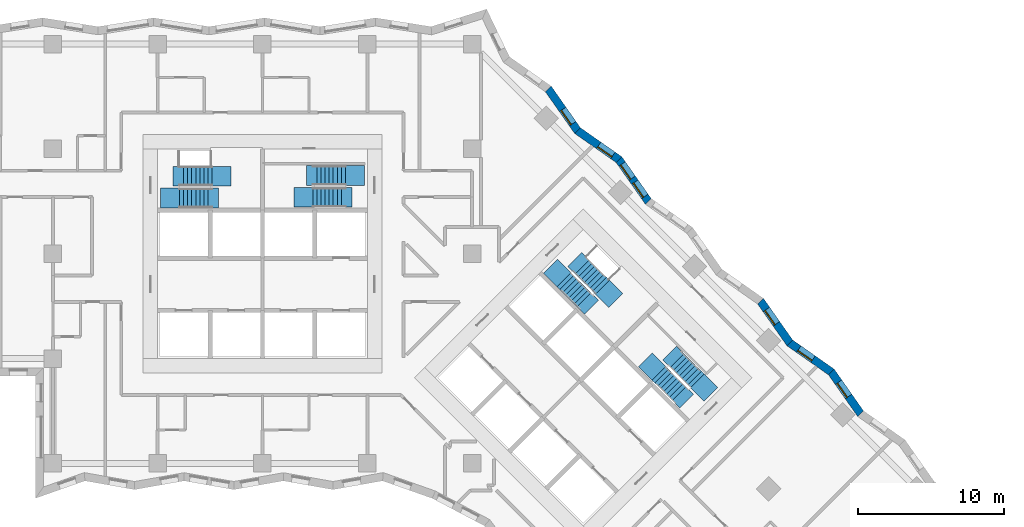
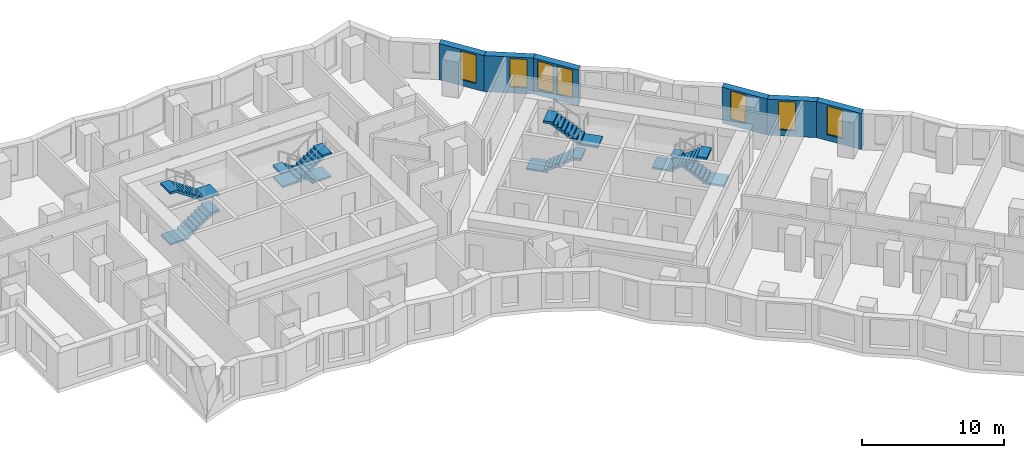
# One storey, part 10 of 12: 8 stair flights, 7 windows, 6 walls, 7 openings, 4 elements without a shape of their own.
"""IFC4 building model written with IfcOpenShell, lengths in metres."""

from ifc_helpers import new_model, si_unit, direction, frame, frame_2d, origin, place, context, subcontext, project, spatial, polyline, rectangle, outline, extrude, material, layer, layer_set, type_object, element, fill, aggregate, save


model = new_model("IFC4")

# Units and contexts
model_context = context("Model", 3, precision=1e-05, world=origin(), true_north=direction((0.0, 1.0)))
body_context = subcontext(model_context, "Body", "Model", "MODEL_VIEW")
ifc_project = project(units=[si_unit("LENGTHUNIT", "METRE"), si_unit("AREAUNIT", "SQUARE_METRE"), si_unit("VOLUMEUNIT", "CUBIC_METRE"), si_unit("PLANEANGLEUNIT", "RADIAN"), si_unit("MASSUNIT", "GRAM", prefix="KILO")], contexts=[model_context])

# Site, building, storey
site_placement = place(None, origin())
site = spatial("IfcSite", under=ifc_project, at=site_placement, CompositionType="ELEMENT")
building_placement = place(site_placement, origin())
building = spatial("IfcBuilding", under=site, at=building_placement, Name="Windrow Commons", CompositionType="ELEMENT")
storey_placement = place(building_placement, frame((0.0, 0.0, 61.0)))
storey = spatial("IfcBuildingStorey", under=building, at=storey_placement, Name="L16", CompositionType="ELEMENT", Elevation=61.0)

# Wall, opening, window
ifc_material_1 = material(Name="Brick masonry, red clay brick", Category="masonry")
ifc_layer = layer(ifc_material_1, 0.55)
ifc_layer_set = layer_set([ifc_layer], Name="Brick facade wall 550")
wall_type = type_object("IfcWallType", Name="Brick facade wall 550", PredefinedType="SOLIDWALL", material=ifc_layer_set)
wall_1_placement = place(storey_placement, frame((105.8825, 46.6197, 0.0), z_axis=(0.0, 0.0, 1.0), x_axis=(-0.5742832552, 0.8186566697, 0.0)))
wall_1 = element("IfcWall", 1, at=wall_1_placement, inside=storey, type_object=wall_type, Name="Brick facade wall L16 12", PredefinedType="SOLIDWALL", context=body_context, shape_type="SweptSolid", body=[
    extrude(outline(polyline([(0.0482, -0.275), (3.5379, -0.275), (3.4415, 0.275), (-0.0482, 0.275), (0.0482, -0.275)])), origin(), (0.0, 0.0, 1.0), 3.1),
])
opening_1_placement = place(wall_1_placement, frame((1.4339, 0.0, 0.5)))
opening_1 = element("IfcOpeningElement", 2, at=opening_1_placement, cuts=wall_1, Name="Opening W7D", PredefinedType="OPENING", context=body_context, shape_type="SweptSolid", body=[
    extrude(rectangle(XDim=1.2, YDim=2.45, at=frame_2d((0.6, 1.225))), frame((0.0, 0.285, 0.0), z_axis=(0.0, -1.0, 0.0), x_axis=(1.0, 0.0, 0.0)), (0.0, 0.0, 1.0), 0.57),
])
ifc_material_2 = material(Name="Clear float glass in anodised aluminium frame", Category="aluminium")
window_type = type_object("IfcWindowType", Name="Window W7 notch 1200x2450", PartitioningType="SINGLE_PANEL", PredefinedType="WINDOW", material=ifc_material_2)
window_1_placement = place(opening_1_placement, origin())
window_1 = element("IfcWindow", 3, at=window_1_placement, inside=storey, type_object=window_type, Name="Window L16 12.1", OverallHeight=2.45, OverallWidth=1.2, PartitioningType="SINGLE_PANEL", PredefinedType="WINDOW", context=body_context, shape_type="SweptSolid", body=[
    extrude(rectangle(XDim=1.2, YDim=2.45, at=frame_2d((0.6, 1.225))), frame((0.0, 0.155, 0.0), z_axis=(0.0, -1.0, 0.0), x_axis=(1.0, 0.0, 0.0)), (0.0, 0.0, 1.0), 0.06),
])
fill(opening_1, window_1)

wall_2_placement = place(storey_placement, frame((103.8784, 49.4766, 0.0), z_axis=(0.0, 0.0, 1.0), x_axis=(-0.8186472188, 0.5742967275, 0.0)))
wall_2 = element("IfcWall", 4, at=wall_2_placement, inside=storey, type_object=wall_type, Name="Brick facade wall L16 13", PredefinedType="SOLIDWALL", context=body_context, shape_type="SweptSolid", body=[
    extrude(outline(polyline([(-0.0482, -0.275), (3.4415, -0.275), (3.5379, 0.275), (0.0482, 0.275), (-0.0482, -0.275)])), origin(), (0.0, 0.0, 1.0), 3.1),
])
opening_2_placement = place(wall_2_placement, frame((1.5407, 0.0, 0.5)))
opening_2 = element("IfcOpeningElement", 5, at=opening_2_placement, cuts=wall_2, Name="Opening W7D", PredefinedType="OPENING", context=body_context, shape_type="SweptSolid", body=[
    extrude(rectangle(XDim=1.2, YDim=2.45, at=frame_2d((0.6, 1.225))), frame((0.0, 0.285, 0.0), z_axis=(0.0, -1.0, 0.0), x_axis=(1.0, 0.0, 0.0)), (0.0, 0.0, 1.0), 0.57),
])
window_2_placement = place(opening_2_placement, origin())
window_2 = element("IfcWindow", 6, at=window_2_placement, inside=storey, type_object=window_type, Name="Window L16 13.1", OverallHeight=2.45, OverallWidth=1.2, PartitioningType="SINGLE_PANEL", PredefinedType="WINDOW", context=body_context, shape_type="SweptSolid", body=[
    extrude(rectangle(XDim=1.2, YDim=2.45, at=frame_2d((0.6, 1.225))), frame((0.0, 0.155, 0.0), z_axis=(0.0, -1.0, 0.0), x_axis=(1.0, 0.0, 0.0)), (0.0, 0.0, 1.0), 0.06),
])
fill(opening_2, window_2)

wall_3_placement = place(storey_placement, frame((101.0216, 51.4807, 0.0), z_axis=(0.0, 0.0, 1.0), x_axis=(-0.5742967275, 0.8186472188, 0.0)))
wall_3 = element("IfcWall", 7, at=wall_3_placement, inside=storey, type_object=wall_type, Name="Brick facade wall L16 14", PredefinedType="SOLIDWALL", context=body_context, shape_type="SweptSolid", body=[
    extrude(outline(polyline([(0.0482, -0.275), (3.5379, -0.275), (3.4415, 0.275), (-0.0482, 0.275), (0.0482, -0.275)])), origin(), (0.0, 0.0, 1.0), 3.1),
])
opening_3_placement = place(wall_3_placement, frame((1.5992, 0.0, 0.5)))
opening_3 = element("IfcOpeningElement", 8, at=opening_3_placement, cuts=wall_3, Name="Opening W7D", PredefinedType="OPENING", context=body_context, shape_type="SweptSolid", body=[
    extrude(rectangle(XDim=1.2, YDim=2.45, at=frame_2d((0.6, 1.225))), frame((0.0, 0.285, 0.0), z_axis=(0.0, -1.0, 0.0), x_axis=(1.0, 0.0, 0.0)), (0.0, 0.0, 1.0), 0.57),
])
window_3_placement = place(opening_3_placement, origin())
window_3 = element("IfcWindow", 9, at=window_3_placement, inside=storey, type_object=window_type, Name="Window L16 14.1", OverallHeight=2.45, OverallWidth=1.2, PartitioningType="SINGLE_PANEL", PredefinedType="WINDOW", context=body_context, shape_type="SweptSolid", body=[
    extrude(rectangle(XDim=1.2, YDim=2.45, at=frame_2d((0.6, 1.225))), frame((0.0, 0.155, 0.0), z_axis=(0.0, -1.0, 0.0), x_axis=(1.0, 0.0, 0.0)), (0.0, 0.0, 1.0), 0.06),
])
fill(opening_3, window_3)

# Wall, openings, windows
wall_4_placement = place(storey_placement, frame((91.2997, 61.2026, 0.0), z_axis=(0.0, 0.0, 1.0), x_axis=(-0.5742967275, 0.8186472188, 0.0)))
wall_4 = element("IfcWall", 10, at=wall_4_placement, inside=storey, type_object=wall_type, Name="Brick facade wall L16 18", PredefinedType="SOLIDWALL", context=body_context, shape_type="SweptSolid", body=[
    extrude(outline(polyline([(0.0482, -0.275), (3.5379, -0.275), (3.4415, 0.275), (-0.0482, 0.275), (0.0482, -0.275)])), origin(), (0.0, 0.0, 1.0), 3.1),
])
opening_4_placement = place(wall_4_placement, frame((0.409, 0.0, 0.5)))
opening_4 = element("IfcOpeningElement", 11, at=opening_4_placement, cuts=wall_4, Name="Opening W7D", PredefinedType="OPENING", context=body_context, shape_type="SweptSolid", body=[
    extrude(rectangle(XDim=1.2, YDim=2.45, at=frame_2d((0.6, 1.225))), frame((0.0, 0.285, 0.0), z_axis=(0.0, -1.0, 0.0), x_axis=(1.0, 0.0, 0.0)), (0.0, 0.0, 1.0), 0.57),
])
opening_5_placement = place(wall_4_placement, frame((1.9298, 0.0, 0.5)))
opening_5 = element("IfcOpeningElement", 12, at=opening_5_placement, cuts=wall_4, Name="Opening W7D", PredefinedType="OPENING", context=body_context, shape_type="SweptSolid", body=[
    extrude(rectangle(XDim=1.2, YDim=2.45, at=frame_2d((0.6, 1.225))), frame((0.0, 0.285, 0.0), z_axis=(0.0, -1.0, 0.0), x_axis=(1.0, 0.0, 0.0)), (0.0, 0.0, 1.0), 0.57),
])
window_4_placement = place(opening_4_placement, origin())
window_4 = element("IfcWindow", 13, at=window_4_placement, inside=storey, type_object=window_type, Name="Window L16 18.1", OverallHeight=2.45, OverallWidth=1.2, PartitioningType="SINGLE_PANEL", PredefinedType="WINDOW", context=body_context, shape_type="SweptSolid", body=[
    extrude(rectangle(XDim=1.2, YDim=2.45, at=frame_2d((0.6, 1.225))), frame((0.0, 0.155, 0.0), z_axis=(0.0, -1.0, 0.0), x_axis=(1.0, 0.0, 0.0)), (0.0, 0.0, 1.0), 0.06),
])
fill(opening_4, window_4)
window_5_placement = place(opening_5_placement, origin())
window_5 = element("IfcWindow", 14, at=window_5_placement, inside=storey, type_object=window_type, Name="Window L16 18.2", OverallHeight=2.45, OverallWidth=1.2, PartitioningType="SINGLE_PANEL", PredefinedType="WINDOW", context=body_context, shape_type="SweptSolid", body=[
    extrude(rectangle(XDim=1.2, YDim=2.45, at=frame_2d((0.6, 1.225))), frame((0.0, 0.155, 0.0), z_axis=(0.0, -1.0, 0.0), x_axis=(1.0, 0.0, 0.0)), (0.0, 0.0, 1.0), 0.06),
])
fill(opening_5, window_5)

# Wall, opening, window
wall_5_placement = place(storey_placement, frame((89.2956, 64.0594, 0.0), z_axis=(0.0, 0.0, 1.0), x_axis=(-0.8186566697, 0.5742832552, 0.0)))
wall_5 = element("IfcWall", 15, at=wall_5_placement, inside=storey, type_object=wall_type, Name="Brick facade wall L16 19", PredefinedType="SOLIDWALL", context=body_context, shape_type="SweptSolid", body=[
    extrude(outline(polyline([(-0.0482, -0.275), (3.4415, -0.275), (3.5379, 0.275), (0.0482, 0.275), (-0.0482, -0.275)])), origin(), (0.0, 0.0, 1.0), 3.1),
])
opening_6_placement = place(wall_5_placement, frame((0.5158, 0.0, 0.5)))
opening_6 = element("IfcOpeningElement", 16, at=opening_6_placement, cuts=wall_5, Name="Opening W7D", PredefinedType="OPENING", context=body_context, shape_type="SweptSolid", body=[
    extrude(rectangle(XDim=1.2, YDim=2.45, at=frame_2d((0.6, 1.225))), frame((0.0, 0.285, 0.0), z_axis=(0.0, -1.0, 0.0), x_axis=(1.0, 0.0, 0.0)), (0.0, 0.0, 1.0), 0.57),
])
window_6_placement = place(opening_6_placement, origin())
window_6 = element("IfcWindow", 17, at=window_6_placement, inside=storey, type_object=window_type, Name="Window L16 19.1", OverallHeight=2.45, OverallWidth=1.2, PartitioningType="SINGLE_PANEL", PredefinedType="WINDOW", context=body_context, shape_type="SweptSolid", body=[
    extrude(rectangle(XDim=1.2, YDim=2.45, at=frame_2d((0.6, 1.225))), frame((0.0, 0.155, 0.0), z_axis=(0.0, -1.0, 0.0), x_axis=(1.0, 0.0, 0.0)), (0.0, 0.0, 1.0), 0.06),
])
fill(opening_6, window_6)

wall_6_placement = place(storey_placement, frame((86.4387, 66.0635, 0.0), z_axis=(0.0, 0.0, 1.0), x_axis=(-0.5742640499, 0.8186701418, 0.0)))
wall_6 = element("IfcWall", 18, at=wall_6_placement, inside=storey, type_object=wall_type, Name="Brick facade wall L16 20", PredefinedType="SOLIDWALL", context=body_context, shape_type="SweptSolid", body=[
    extrude(outline(polyline([(0.0482, -0.275), (3.5379, -0.275), (3.4415, 0.275), (-0.0482, 0.275), (0.0482, -0.275)])), origin(), (0.0, 0.0, 1.0), 3.1),
])
opening_7_placement = place(wall_6_placement, frame((0.5743, 0.0, 0.5)))
opening_7 = element("IfcOpeningElement", 19, at=opening_7_placement, cuts=wall_6, Name="Opening W7D", PredefinedType="OPENING", context=body_context, shape_type="SweptSolid", body=[
    extrude(rectangle(XDim=1.2, YDim=2.45, at=frame_2d((0.6, 1.225))), frame((0.0, 0.285, 0.0), z_axis=(0.0, -1.0, 0.0), x_axis=(1.0, 0.0, 0.0)), (0.0, 0.0, 1.0), 0.57),
])
window_7_placement = place(opening_7_placement, origin())
window_7 = element("IfcWindow", 20, at=window_7_placement, inside=storey, type_object=window_type, Name="Window L16 20.1", OverallHeight=2.45, OverallWidth=1.2, PartitioningType="SINGLE_PANEL", PredefinedType="WINDOW", context=body_context, shape_type="SweptSolid", body=[
    extrude(rectangle(XDim=1.2, YDim=2.45, at=frame_2d((0.6, 1.225))), frame((0.0, 0.155, 0.0), z_axis=(0.0, -1.0, 0.0), x_axis=(1.0, 0.0, 0.0)), (0.0, 0.0, 1.0), 0.06),
])
fill(opening_7, window_7)

# Stair, stair flights
ifc_material_3 = material(Name="Concrete C40/50", Category="concrete")
stair_type = type_object("IfcStairType", Name="Core stair", PredefinedType="HALF_TURN_STAIR", material=ifc_material_3)
placement = place(storey_placement, origin())
stair_1 = element("IfcStair", 21, at=placement, inside=storey, type_object=stair_type, Name="L16 Exit stair A1 core A", PredefinedType="HALF_TURN_STAIR")
ifc_material_4 = material(Name="Concrete C40/50", Category="concrete")
stair_flight_type = type_object("IfcStairFlightType", Name="Core stair flight", PredefinedType="STRAIGHT", material=ifc_material_4)
stair_flight_1_placement = place(storey_placement, frame((59.1, 61.425, 0.0), z_axis=(0.0, 0.0, 1.0), x_axis=(1.0, 0.0, 0.0)))
stair_flight_1 = element("IfcStairFlight", 22, at=stair_flight_1_placement, type_object=stair_flight_type, Name="ST-A1 flight 1", NumberOfRisers=9, NumberOfTreads=8, PredefinedType="STRAIGHT", RiserHeight=0.188888889, TreadLength=0.28, context=body_context, shape_type="SweptSolid", body=[
    extrude(outline(polyline([(-1.3, -0.15), (-1.3, 0.0), (0.0, 0.0), (0.0, 0.1889), (0.28, 0.1889), (0.28, 0.3778), (0.56, 0.3778), (0.56, 0.5667), (0.84, 0.5667), (0.84, 0.7556), (1.12, 0.7556), (1.12, 0.9444), (1.4, 0.9444), (1.4, 1.1333), (1.68, 1.1333), (1.68, 1.3222), (1.96, 1.3222), (1.96, 1.5111), (2.24, 1.5111), (2.69, 1.5111), (2.69, 1.3111), (2.24, 1.3111), (2.24, 1.3302), (0.2682, 0.0), (0.2682, -0.15), (-1.3, -0.15)])), frame((0.0, 0.675, 0.0), z_axis=(0.0, -1.0, 0.0), x_axis=(1.0, 0.0, 0.0)), (0.0, 0.0, 1.0), 1.35),
])
stair_flight_2_placement = place(storey_placement, frame((61.34, 62.925, 1.7), z_axis=(0.0, 0.0, 1.0), x_axis=(-1.0, 0.0, 0.0)))
stair_flight_2 = element("IfcStairFlight", 23, at=stair_flight_2_placement, type_object=stair_flight_type, Name="ST-A1 flight 2", NumberOfRisers=9, NumberOfTreads=8, PredefinedType="STRAIGHT", RiserHeight=0.188888889, TreadLength=0.28, context=body_context, shape_type="SweptSolid", body=[
    extrude(outline(polyline([(-1.3, -0.15), (-1.3, 0.0), (0.0, 0.0), (0.0, 0.1889), (0.28, 0.1889), (0.28, 0.3778), (0.56, 0.3778), (0.56, 0.5667), (0.84, 0.5667), (0.84, 0.7556), (1.12, 0.7556), (1.12, 0.9444), (1.4, 0.9444), (1.4, 1.1333), (1.68, 1.1333), (1.68, 1.3222), (1.96, 1.3222), (1.96, 1.5111), (2.24, 1.5111), (2.69, 1.5111), (2.69, 1.3111), (2.24, 1.3111), (2.24, 1.3302), (0.2682, 0.0), (0.2682, -0.15), (-1.3, -0.15)])), frame((0.0, 0.675, 0.0), z_axis=(0.0, -1.0, 0.0), x_axis=(1.0, 0.0, 0.0)), (0.0, 0.0, 1.0), 1.35),
])
aggregate(stair_1, [stair_flight_1, stair_flight_2])

stair_2 = element("IfcStair", 24, at=placement, inside=storey, type_object=stair_type, Name="L16 Exit stair A2 core A", PredefinedType="HALF_TURN_STAIR")
stair_flight_3_placement = place(storey_placement, frame((70.5, 62.98, 0.0), z_axis=(0.0, 0.0, 1.0), x_axis=(-1.0, 0.0, 0.0)))
stair_flight_3 = element("IfcStairFlight", 25, at=stair_flight_3_placement, type_object=stair_flight_type, Name="ST-A2 flight 1", NumberOfRisers=9, NumberOfTreads=8, PredefinedType="STRAIGHT", RiserHeight=0.188888889, TreadLength=0.28, context=body_context, shape_type="SweptSolid", body=[
    extrude(outline(polyline([(-1.3, -0.15), (-1.3, 0.0), (0.0, 0.0), (0.0, 0.1889), (0.28, 0.1889), (0.28, 0.3778), (0.56, 0.3778), (0.56, 0.5667), (0.84, 0.5667), (0.84, 0.7556), (1.12, 0.7556), (1.12, 0.9444), (1.4, 0.9444), (1.4, 1.1333), (1.68, 1.1333), (1.68, 1.3222), (1.96, 1.3222), (1.96, 1.5111), (2.24, 1.5111), (2.69, 1.5111), (2.69, 1.3111), (2.24, 1.3111), (2.24, 1.3302), (0.2682, 0.0), (0.2682, -0.15), (-1.3, -0.15)])), frame((0.0, 0.675, 0.0), z_axis=(0.0, -1.0, 0.0), x_axis=(1.0, 0.0, 0.0)), (0.0, 0.0, 1.0), 1.35),
])
stair_flight_4_placement = place(storey_placement, frame((68.26, 61.48, 1.7), z_axis=(0.0, 0.0, 1.0), x_axis=(1.0, 0.0, 0.0)))
stair_flight_4 = element("IfcStairFlight", 26, at=stair_flight_4_placement, type_object=stair_flight_type, Name="ST-A2 flight 2", NumberOfRisers=9, NumberOfTreads=8, PredefinedType="STRAIGHT", RiserHeight=0.188888889, TreadLength=0.28, context=body_context, shape_type="SweptSolid", body=[
    extrude(outline(polyline([(-1.3, -0.15), (-1.3, 0.0), (0.0, 0.0), (0.0, 0.1889), (0.28, 0.1889), (0.28, 0.3778), (0.56, 0.3778), (0.56, 0.5667), (0.84, 0.5667), (0.84, 0.7556), (1.12, 0.7556), (1.12, 0.9444), (1.4, 0.9444), (1.4, 1.1333), (1.68, 1.1333), (1.68, 1.3222), (1.96, 1.3222), (1.96, 1.5111), (2.24, 1.5111), (2.69, 1.5111), (2.69, 1.3111), (2.24, 1.3111), (2.24, 1.3302), (0.2682, 0.0), (0.2682, -0.15), (-1.3, -0.15)])), frame((0.0, 0.675, 0.0), z_axis=(0.0, -1.0, 0.0), x_axis=(1.0, 0.0, 0.0)), (0.0, 0.0, 1.0), 1.35),
])
aggregate(stair_2, [stair_flight_3, stair_flight_4])

stair_3 = element("IfcStair", 27, at=placement, inside=storey, type_object=stair_type, Name="L16 Exit stair B1 core B", PredefinedType="HALF_TURN_STAIR")
stair_flight_5_placement = place(storey_placement, frame((85.5109, 55.8249, 0.0), z_axis=(0.0, 0.0, 1.0), x_axis=(0.7071067812, -0.7071067812, 0.0)))
stair_flight_5 = element("IfcStairFlight", 28, at=stair_flight_5_placement, type_object=stair_flight_type, Name="ST-B1 flight 1", NumberOfRisers=9, NumberOfTreads=8, PredefinedType="STRAIGHT", RiserHeight=0.188888889, TreadLength=0.28, context=body_context, shape_type="SweptSolid", body=[
    extrude(outline(polyline([(-1.3, -0.15), (-1.3, 0.0), (0.0, 0.0), (0.0, 0.1889), (0.28, 0.1889), (0.28, 0.3778), (0.56, 0.3778), (0.56, 0.5667), (0.84, 0.5667), (0.84, 0.7556), (1.12, 0.7556), (1.12, 0.9444), (1.4, 0.9444), (1.4, 1.1333), (1.68, 1.1333), (1.68, 1.3222), (1.96, 1.3222), (1.96, 1.5111), (2.24, 1.5111), (2.69, 1.5111), (2.69, 1.3111), (2.24, 1.3111), (2.24, 1.3302), (0.2682, 0.0), (0.2682, -0.15), (-1.3, -0.15)])), frame((0.0, 0.675, 0.0), z_axis=(0.0, -1.0, 0.0), x_axis=(1.0, 0.0, 0.0)), (0.0, 0.0, 1.0), 1.35),
])
stair_flight_6_placement = place(storey_placement, frame((88.1555, 55.3017, 1.7), z_axis=(0.0, 0.0, 1.0), x_axis=(-0.7071067812, 0.7071067812, 0.0)))
stair_flight_6 = element("IfcStairFlight", 29, at=stair_flight_6_placement, type_object=stair_flight_type, Name="ST-B1 flight 2", NumberOfRisers=9, NumberOfTreads=8, PredefinedType="STRAIGHT", RiserHeight=0.188888889, TreadLength=0.28, context=body_context, shape_type="SweptSolid", body=[
    extrude(outline(polyline([(-1.3, -0.15), (-1.3, 0.0), (0.0, 0.0), (0.0, 0.1889), (0.28, 0.1889), (0.28, 0.3778), (0.56, 0.3778), (0.56, 0.5667), (0.84, 0.5667), (0.84, 0.7556), (1.12, 0.7556), (1.12, 0.9444), (1.4, 0.9444), (1.4, 1.1333), (1.68, 1.1333), (1.68, 1.3222), (1.96, 1.3222), (1.96, 1.5111), (2.24, 1.5111), (2.69, 1.5111), (2.69, 1.3111), (2.24, 1.3111), (2.24, 1.3302), (0.2682, 0.0), (0.2682, -0.15), (-1.3, -0.15)])), frame((0.0, 0.675, 0.0), z_axis=(0.0, -1.0, 0.0), x_axis=(1.0, 0.0, 0.0)), (0.0, 0.0, 1.0), 1.35),
])
aggregate(stair_3, [stair_flight_5, stair_flight_6])

stair_4 = element("IfcStair", 30, at=placement, inside=storey, type_object=stair_type, Name="L16 Exit stair B2 core B", PredefinedType="HALF_TURN_STAIR")
stair_flight_7_placement = place(storey_placement, frame((94.6715, 48.8635, 0.0), z_axis=(0.0, 0.0, 1.0), x_axis=(-0.7071067812, 0.7071067812, 0.0)))
stair_flight_7 = element("IfcStairFlight", 31, at=stair_flight_7_placement, type_object=stair_flight_type, Name="ST-B2 flight 1", NumberOfRisers=9, NumberOfTreads=8, PredefinedType="STRAIGHT", RiserHeight=0.188888889, TreadLength=0.28, context=body_context, shape_type="SweptSolid", body=[
    extrude(outline(polyline([(-1.3, -0.15), (-1.3, 0.0), (0.0, 0.0), (0.0, 0.1889), (0.28, 0.1889), (0.28, 0.3778), (0.56, 0.3778), (0.56, 0.5667), (0.84, 0.5667), (0.84, 0.7556), (1.12, 0.7556), (1.12, 0.9444), (1.4, 0.9444), (1.4, 1.1333), (1.68, 1.1333), (1.68, 1.3222), (1.96, 1.3222), (1.96, 1.5111), (2.24, 1.5111), (2.69, 1.5111), (2.69, 1.3111), (2.24, 1.3111), (2.24, 1.3302), (0.2682, 0.0), (0.2682, -0.15), (-1.3, -0.15)])), frame((0.0, 0.675, 0.0), z_axis=(0.0, -1.0, 0.0), x_axis=(1.0, 0.0, 0.0)), (0.0, 0.0, 1.0), 1.35),
])
stair_flight_8_placement = place(storey_placement, frame((92.0269, 49.3867, 1.7), z_axis=(0.0, 0.0, 1.0), x_axis=(0.7071067812, -0.7071067812, 0.0)))
stair_flight_8 = element("IfcStairFlight", 32, at=stair_flight_8_placement, type_object=stair_flight_type, Name="ST-B2 flight 2", NumberOfRisers=9, NumberOfTreads=8, PredefinedType="STRAIGHT", RiserHeight=0.188888889, TreadLength=0.28, context=body_context, shape_type="SweptSolid", body=[
    extrude(outline(polyline([(-1.3, -0.15), (-1.3, 0.0), (0.0, 0.0), (0.0, 0.1889), (0.28, 0.1889), (0.28, 0.3778), (0.56, 0.3778), (0.56, 0.5667), (0.84, 0.5667), (0.84, 0.7556), (1.12, 0.7556), (1.12, 0.9444), (1.4, 0.9444), (1.4, 1.1333), (1.68, 1.1333), (1.68, 1.3222), (1.96, 1.3222), (1.96, 1.5111), (2.24, 1.5111), (2.69, 1.5111), (2.69, 1.3111), (2.24, 1.3111), (2.24, 1.3302), (0.2682, 0.0), (0.2682, -0.15), (-1.3, -0.15)])), frame((0.0, 0.675, 0.0), z_axis=(0.0, -1.0, 0.0), x_axis=(1.0, 0.0, 0.0)), (0.0, 0.0, 1.0), 1.35),
])
aggregate(stair_4, [stair_flight_7, stair_flight_8])

save(model, "model.ifc")
